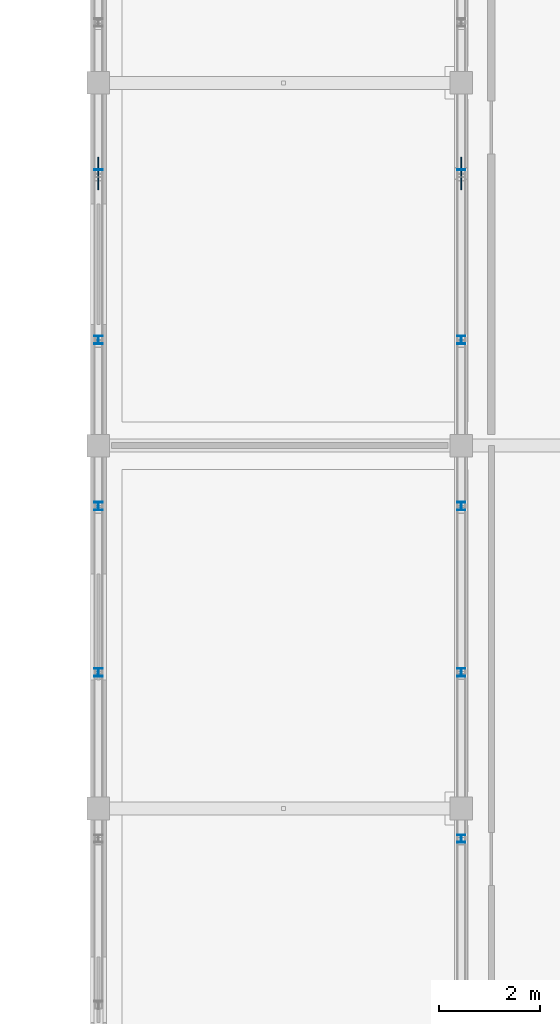
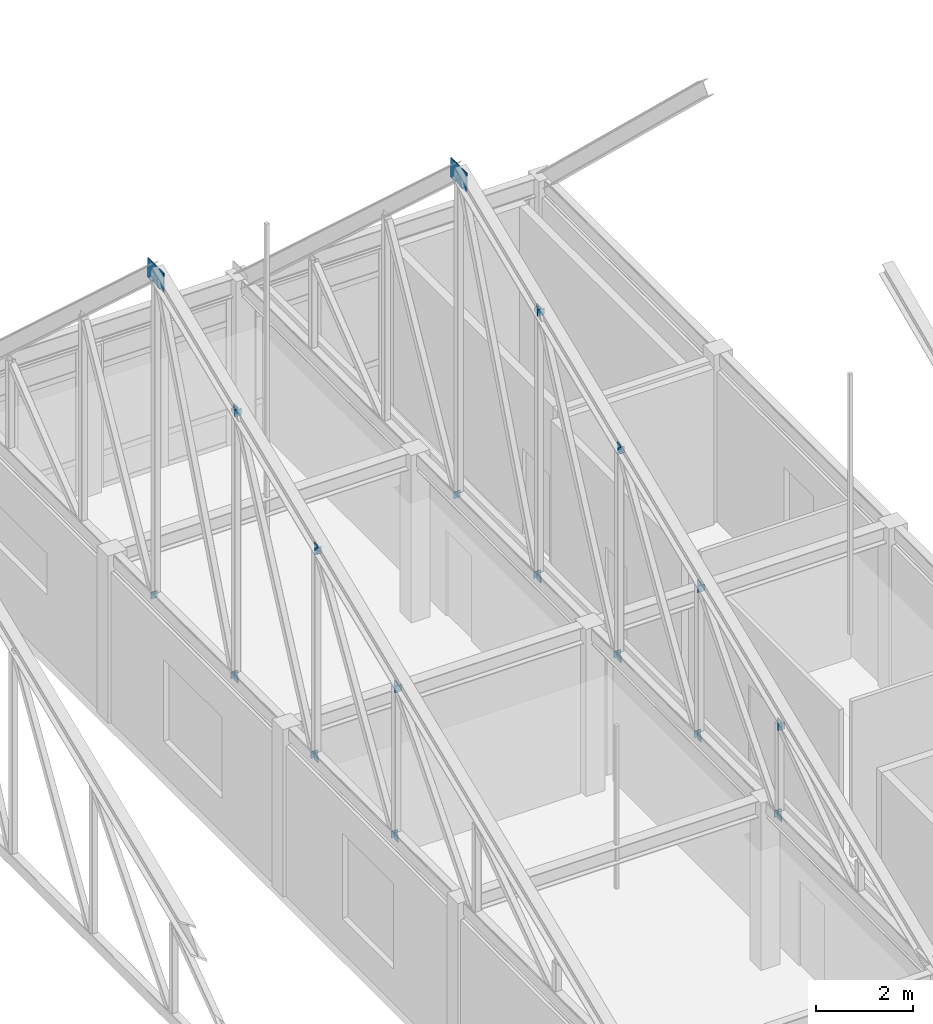
# One storey, part 103 of 136: 32 plates.
"""IFC4 building model written with IfcOpenShell, lengths in metres."""

from ifc_helpers import new_model, si_unit, direction, frame, origin, origin_2d, place, context, subcontext, project, spatial, rectangle, extrude, material, layer, layer_set, type_object, element, save


model = new_model("IFC4")

# Units and contexts
model_context = context("Model", 3, precision=1e-05, world=origin(), true_north=direction((0.0, 1.0)))
body_context = subcontext(model_context, "Body", "Model", "MODEL_VIEW")
ifc_project = project(units=[si_unit("LENGTHUNIT", "METRE"), si_unit("AREAUNIT", "SQUARE_METRE"), si_unit("VOLUMEUNIT", "CUBIC_METRE"), si_unit("PLANEANGLEUNIT", "RADIAN"), si_unit("MASSUNIT", "GRAM", prefix="KILO")], contexts=[model_context])

# Site, building, storey
site_placement = place(None, origin())
site = spatial("IfcSite", under=ifc_project, at=site_placement, CompositionType="ELEMENT")
building_placement = place(site_placement, origin())
building = spatial("IfcBuilding", under=site, at=building_placement, Name="Koriwan Promenade Central Fire Station", CompositionType="ELEMENT")
storey_placement = place(building_placement, frame((0.0, 0.0, 5.39990234375)))
storey = spatial("IfcBuildingStorey", under=building, at=storey_placement, Name="L01", CompositionType="ELEMENT", Elevation=5.39990234375)

# Plates
ifc_material = material(Name="Steel ASTM A572 Grade 50", Category="steel")
ifc_layer_1 = layer(ifc_material, 0.01611328125, Name="Steel ASTM A572 Grade 50")
ifc_layer_set_1 = layer_set([ifc_layer_1], Name="Steel ASTM A572 Grade 50")
plate_type_1 = type_object("IfcPlateType", Name="EndCap_HSS150", PredefinedType="SHEET", material=ifc_layer_set_1)
for number, where, z_axis, x_axis, name in (
    (1, (100.800048828125, 53.10009765625, 3.9296875), (0.0, 0.0, 1.0), (1.0, 0.0, 0.0), "TR_V1_07 vertical 3 end cap 1"),
    (2, (100.800048828125, 53.10009765625, 7.765869140625), (0.0, 0.0, 1.0), (1.0, 0.0, 0.0), "TR_V1_07 vertical 3 end cap 2"),
    (3, (100.800048828125, 56.39990234375, 3.9296875), (0.0, 0.0, 1.0), (1.0, 0.0, 0.0), "TR_V1_07 vertical 4 end cap 1"),
    (4, (100.800048828125, 56.39990234375, 9.232666015625), (0.0, 0.0, 1.0), (1.0, 0.0, 0.0), "TR_V1_07 vertical 4 end cap 2"),
    (5, (100.800048828125, 59.699951171875, 3.9296875), (0.0, 0.0, 1.0), (1.0, 0.0, 0.0), "TR_V1_07 vertical 5 end cap 1"),
    (6, (100.800048828125, 59.699951171875, 10.69921875), (0.0, 0.0, 1.0), (1.0, 0.0, 0.0), "TR_V1_07 vertical 5 end cap 2"),
    (7, (100.800048828125, 53.025146484375, 7.7138671875), (0.0, 0.0, 1.0), (0.0, 1.0, 0.0), "TR_V1_07 web diagonal 3 end cap 2"),
    (8, (100.800048828125, 53.17578125, 3.980712890625), (0.0, 0.0, 1.0), (0.0, 1.0, 0.0), "TR_V1_07 web diagonal 4 end cap 1"),
    (9, (100.800048828125, 56.32421875, 9.181396484375), (0.0, 0.0, 1.0), (0.0, 1.0, 0.0), "TR_V1_07 web diagonal 4 end cap 2"),
    (10, (100.800048828125, 56.4765625, 3.98046875), (0.0, 0.0, 1.0), (0.0, 1.0, 0.0), "TR_V1_07 web diagonal 5 end cap 1"),
    (11, (100.800048828125, 59.623291015625, 10.6484375), (0.0, 0.0, 1.0), (0.0, 1.0, 0.0), "TR_V1_07 web diagonal 5 end cap 2"),
    (12, (100.800048828125, 59.777099609375, 3.97998046875), (0.0, 0.0, 1.0), (0.0, 1.0, 0.0), "TR_V1_07 web diagonal 6 end cap 1"),
    (13, (100.800048828125, 63.076171875, 3.98046875), (0.0, 0.0, 1.0), (0.0, 1.0, 0.0), "TR_V1_07 web diagonal 7 end cap 1"),
    (14, (108.0, 49.800048828125, 3.9296875), (0.0, 0.0, 1.0), (1.0, 0.0, 0.0), "TR_V1_08 vertical 2 end cap 1"),
    (15, (108.0, 49.800048828125, 6.299072265625), (0.0, 0.0, 1.0), (1.0, 0.0, 0.0), "TR_V1_08 vertical 2 end cap 2"),
    (16, (108.0, 53.10009765625, 3.9296875), (0.0, 0.0, 1.0), (1.0, 0.0, 0.0), "TR_V1_08 vertical 3 end cap 1"),
    (17, (108.0, 53.10009765625, 7.765869140625), (0.0, 0.0, 1.0), (1.0, 0.0, 0.0), "TR_V1_08 vertical 3 end cap 2"),
    (18, (108.0, 56.39990234375, 3.9296875), (0.0, 0.0, 1.0), (1.0, 0.0, 0.0), "TR_V1_08 vertical 4 end cap 1"),
    (19, (108.0, 56.39990234375, 9.232666015625), (0.0, 0.0, 1.0), (1.0, 0.0, 0.0), "TR_V1_08 vertical 4 end cap 2"),
    (20, (108.0, 59.699951171875, 3.9296875), (0.0, 0.0, 1.0), (1.0, 0.0, 0.0), "TR_V1_08 vertical 5 end cap 1"),
    (21, (108.0, 59.699951171875, 10.69921875), (0.0, 0.0, 1.0), (1.0, 0.0, 0.0), "TR_V1_08 vertical 5 end cap 2"),
    (22, (108.0, 49.7265625, 6.245849609375), (0.0, 0.0, 1.0), (0.0, 1.0, 0.0), "TR_V1_08 web diagonal 2 end cap 2"),
    (23, (108.0, 49.874755859375, 3.9814453125), (0.0, 0.0, 1.0), (0.0, 1.0, 0.0), "TR_V1_08 web diagonal 3 end cap 1"),
    (24, (108.0, 53.025146484375, 7.7138671875), (0.0, 0.0, 1.0), (0.0, 1.0, 0.0), "TR_V1_08 web diagonal 3 end cap 2"),
    (25, (108.0, 53.17578125, 3.980712890625), (0.0, 0.0, 1.0), (0.0, 1.0, 0.0), "TR_V1_08 web diagonal 4 end cap 1"),
    (26, (108.0, 56.32421875, 9.181396484375), (0.0, 0.0, 1.0), (0.0, 1.0, 0.0), "TR_V1_08 web diagonal 4 end cap 2"),
    (27, (108.0, 56.4765625, 3.98046875), (0.0, 0.0, 1.0), (0.0, 1.0, 0.0), "TR_V1_08 web diagonal 5 end cap 1"),
    (28, (108.0, 59.623291015625, 10.6484375), (0.0, 0.0, 1.0), (0.0, 1.0, 0.0), "TR_V1_08 web diagonal 5 end cap 2"),
    (29, (108.0, 59.777099609375, 3.97998046875), (0.0, 0.0, 1.0), (0.0, 1.0, 0.0), "TR_V1_08 web diagonal 6 end cap 1"),
    (30, (108.0, 63.076171875, 3.98046875), (0.0, 0.0, 1.0), (0.0, 1.0, 0.0), "TR_V1_08 web diagonal 7 end cap 1"),
):
    element("IfcPlate", number, at=place(storey_placement, frame(where, z_axis=z_axis, x_axis=x_axis)), inside=storey, type_object=plate_type_1, Name=name, PredefinedType="SHEET", context=body_context, shape_type="SweptSolid", body=[
        extrude(rectangle(XDim=0.01611328125, YDim=0.1650390625, at=origin_2d()), origin(), (0.0, 0.0, 1.0), 0.1650390625),
    ])
ifc_layer_2 = layer(ifc_material, 0.47998046875, Name="Steel ASTM A572 Grade 50")
ifc_layer_set_2 = layer_set([ifc_layer_2], Name="Steel ASTM A572 Grade 50")
plate_type_2 = type_object("IfcPlateType", Name="NodeGusset_Ridge", PredefinedType="SHEET", material=ifc_layer_set_2)
for number, where, z_axis, x_axis, name in (
    (31, (100.800048828125, 63.0, 11.900390625), (0.0, 0.0, 1.0), (1.0, 0.0, 0.0), "TR_V1_07 ridge node gusset TN-R1"),
    (32, (108.0, 63.0, 11.900390625), (0.0, 0.0, 1.0), (1.0, 0.0, 0.0), "TR_V1_08 ridge node gusset TN-R1"),
):
    element("IfcPlate", number, at=place(storey_placement, frame(where, z_axis=z_axis, x_axis=x_axis)), inside=storey, type_object=plate_type_2, Name=name, PredefinedType="SHEET", context=body_context, shape_type="SweptSolid", body=[
        extrude(rectangle(XDim=0.02392578125, YDim=0.64990234375, at=origin_2d()), origin(), (0.0, 0.0, 1.0), 0.47998046875),
    ])

save(model, "model.ifc")
